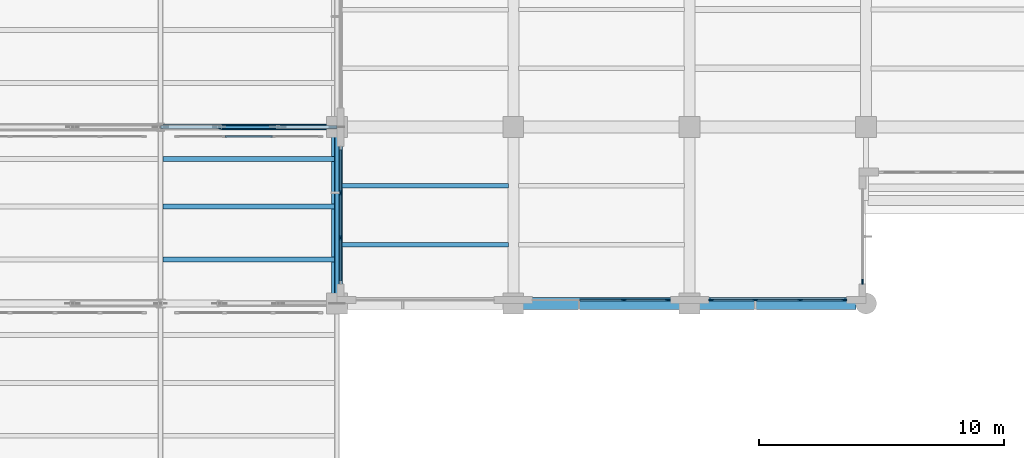
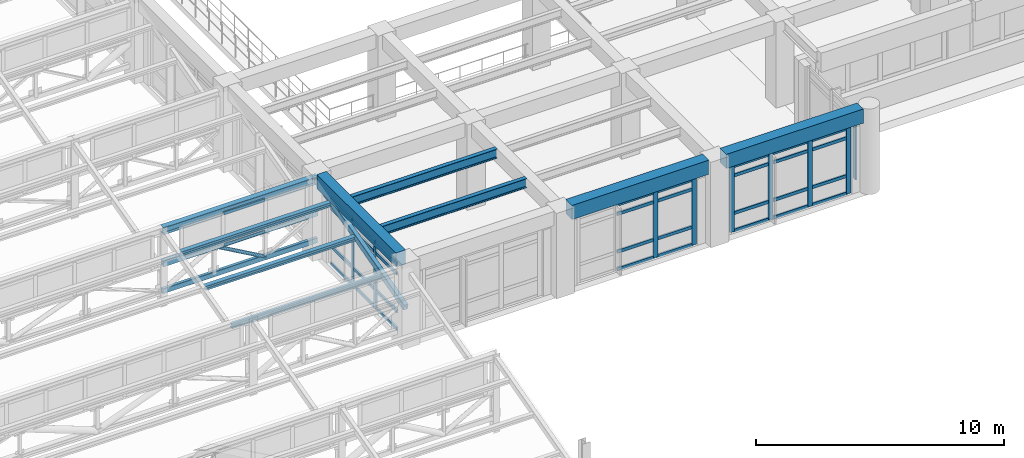
# One storey, part 24 of 98: 46 members, 10 beams, 5 elements without a shape of their own.
"""IFC4 building model written with IfcOpenShell, lengths in metres."""

from ifc_helpers import new_model, si_unit, direction, frame, origin, origin_2d, place, context, subcontext, project, spatial, rectangle, hollow_rectangle, hollow_circle, i_section, extrude, material, layer, layer_set, material_profile, profile_set, type_object, element, aggregate, save


model = new_model("IFC4")

# Units and contexts
model_context = context("Model", 3, precision=1e-05, world=origin(), true_north=direction((0.0, 1.0)))
body_context = subcontext(model_context, "Body", "Model", "MODEL_VIEW")
ifc_project = project(units=[si_unit("LENGTHUNIT", "METRE"), si_unit("AREAUNIT", "SQUARE_METRE"), si_unit("VOLUMEUNIT", "CUBIC_METRE"), si_unit("PLANEANGLEUNIT", "RADIAN"), si_unit("MASSUNIT", "GRAM", prefix="KILO")], contexts=[model_context])

# Site, building, storey
site_placement = place(None, origin())
site = spatial("IfcSite", under=ifc_project, at=site_placement, CompositionType="ELEMENT")
building_placement = place(site_placement, origin())
building = spatial("IfcBuilding", under=site, at=building_placement, Name="Solenvale Faculty of Natural Sciences", CompositionType="ELEMENT")
storey_placement = place(building_placement, frame((0.0, 0.0, 9.0)))
storey = spatial("IfcBuildingStorey", under=building, at=storey_placement, Name="L02", CompositionType="ELEMENT", Elevation=9.0)

# Beams
ifc_material_1 = material(Name="Steel S355", Category="steel")
ifc_material_profile_1 = material_profile(ifc_material_1, i_section(OverallWidth=0.202880859375, OverallDepth=0.202880859375, WebThickness=0.007080078125, FlangeThickness=0.010986328125, FilletRadius=0.010009765625, at=origin_2d()), Name="W200x46")
ifc_profile_set_1 = profile_set([ifc_material_profile_1], Name="Steel S355")
beam_type_1 = type_object("IfcBeamType", Name="BM-PRL-W200x46", PredefinedType="JOIST", material=ifc_profile_set_1)
for number, where, z_axis, x_axis, name in (
    (1, (28.89599609375, 16.199951171875, 2.202392578125), (1.0, 0.0, 0.0), (0.0, 1.0, 0.0), "V1 Sawtooth Purlin 3.2.1"),
    (2, (28.89599609375, 18.360107421875, 2.781494140625), (1.0, 0.0, 0.0), (0.0, 1.0, 0.0), "V1 Sawtooth Purlin 3.2.2"),
    (3, (28.89599609375, 20.303955078125, 3.302490234375), (1.0, 0.0, 0.0), (0.0, 1.0, 0.0), "V1 Sawtooth Purlin 3.2.3"),
):
    element("IfcBeam", number, at=place(storey_placement, frame(where, z_axis=z_axis, x_axis=x_axis)), inside=storey, type_object=beam_type_1, Name=name, PredefinedType="JOIST", context=body_context, shape_type="SweptSolid", body=[
        extrude(i_section(OverallWidth=0.202880859375, OverallDepth=0.202880859375, WebThickness=0.007080078125, FlangeThickness=0.010986328125, FilletRadius=0.010009765625, at=origin_2d()), origin(), (0.0, 0.0, 1.0), 7.10400390625),
    ])
ifc_material_profile_2 = material_profile(ifc_material_1, hollow_rectangle(XDim=0.202880859375, YDim=0.304931640625, WallThickness=0.0126953125, InnerFilletRadius=0.0126953125, OuterFilletRadius=0.025390625, at=origin_2d()), Name="HSS305x203x13")
ifc_profile_set_2 = profile_set([ifc_material_profile_2], Name="Steel S355")
beam_type_2 = type_object("IfcBeamType", Name="BM-RAF-HSS305", PredefinedType="BEAM", material=ifc_profile_set_2)
beam_1_placement = place(storey_placement, frame((36.0, 14.39990234375, 1.719970703125), z_axis=(0.0, 0.965904187204, 0.258899789768), x_axis=(-1.0, 0.0, 0.0)))
element("IfcBeam", 4, at=beam_1_placement, inside=storey, type_object=beam_type_2, Name="V1 Sawtooth End Rafter 3.2.E", PredefinedType="BEAM", context=body_context, shape_type="SweptSolid", body=[
    extrude(hollow_rectangle(XDim=0.202880859375, YDim=0.304931640625, WallThickness=0.0126953125, InnerFilletRadius=0.0126953125, OuterFilletRadius=0.025390625, at=origin_2d()), origin(), (0.0, 0.0, 1.0), 7.454345703125),
])
ifc_material_2 = material(Name="Concrete 40 MPa", Category="concrete")
ifc_material_profile_3 = material_profile(ifc_material_2, rectangle(XDim=0.449951171875, YDim=0.699951171875, at=origin_2d()), Name="RC-BM-450x700")
ifc_profile_set_3 = profile_set([ifc_material_profile_3], Name="Concrete 40 MPa")
beam_type_3 = type_object("IfcBeamType", Name="BM-RC-450x700", PredefinedType="BEAM", material=ifc_profile_set_3)
beam_2_placement = place(storey_placement, frame((36.0, 14.804931640625, 3.8701171875), z_axis=(0.0, 1.0, 0.0), x_axis=(-1.0, 0.0, 0.0)))
element("IfcBeam", 5, at=beam_2_placement, inside=storey, type_object=beam_type_3, Name="L02 Y-Girder X36.0 (14.4..21.6)", PredefinedType="BEAM", context=body_context, shape_type="SweptSolid", body=[
    extrude(rectangle(XDim=0.449951171875, YDim=0.699951171875, at=origin_2d()), origin(), (0.0, 0.0, 1.0), 6.39013671875),
])
ifc_material_profile_4 = material_profile(ifc_material_2, rectangle(XDim=0.5, YDim=0.699951171875, at=origin_2d()), Name="RC-BM-500x700")
ifc_profile_set_4 = profile_set([ifc_material_profile_4], Name="Concrete 40 MPa")
beam_type_4 = type_object("IfcBeamType", Name="BM-RC-500x700", PredefinedType="BEAM", material=ifc_profile_set_4)
for number, where, z_axis, x_axis, name in (
    (6, (43.60498046875, 14.39990234375, 3.8701171875), (1.0, 0.0, 0.0), (0.0, 1.0, 0.0), "L02 X-Girder Y14.4 (43.2..50.4)"),
    (7, (50.804931640625, 14.39990234375, 3.8701171875), (1.0, 0.0, 0.0), (0.0, 1.0, 0.0), "L02 X-Girder Y14.4 (50.4..57.6)"),
):
    element("IfcBeam", number, at=place(storey_placement, frame(where, z_axis=z_axis, x_axis=x_axis)), inside=storey, type_object=beam_type_4, Name=name, PredefinedType="BEAM", context=body_context, shape_type="SweptSolid", body=[
        extrude(rectangle(XDim=0.5, YDim=0.699951171875, at=origin_2d()), origin(), (0.0, 0.0, 1.0), 6.39013671875),
    ])
ifc_material_profile_5 = material_profile(ifc_material_1, i_section(OverallWidth=0.2548828125, OverallDepth=0.35693359375, WebThickness=0.010498046875, FlangeThickness=0.018310546875, FilletRadius=0.014892578125, at=origin_2d()), Name="W360x101")
ifc_profile_set_5 = profile_set([ifc_material_profile_5], Name="Steel S355")
beam_type_5 = type_object("IfcBeamType", Name="BM-STL-W360x101", PredefinedType="JOIST", material=ifc_profile_set_5)
beam_3_placement = place(storey_placement, frame((28.800048828125, 21.60009765625, 3.68896484375), z_axis=(1.0, 0.0, 0.0), x_axis=(0.0, 1.0, 0.0)))
element("IfcBeam", 8, at=beam_3_placement, inside=storey, type_object=beam_type_5, Name="V1 Sawtooth Clerestory Ridge Beam 3.2", PredefinedType="JOIST", context=body_context, shape_type="SweptSolid", body=[
    extrude(i_section(OverallWidth=0.2548828125, OverallDepth=0.35693359375, WebThickness=0.010498046875, FlangeThickness=0.018310546875, FilletRadius=0.014892578125, at=origin_2d()), origin(), (0.0, 0.0, 1.0), 7.199951171875),
])
ifc_material_profile_6 = material_profile(ifc_material_1, i_section(OverallWidth=0.19091796875, OverallDepth=0.4599609375, WebThickness=0.010009765625, FlangeThickness=0.01611328125, FilletRadius=0.01806640625, at=origin_2d()), Name="W460x82")
ifc_profile_set_6 = profile_set([ifc_material_profile_6], Name="Steel S355")
beam_type_6 = type_object("IfcBeamType", Name="BM-STL-W460x82", PredefinedType="JOIST", material=ifc_profile_set_6)
for number, where, z_axis, x_axis, name in (
    (9, (36.205078125, 16.800048828125, 3.989990234375), (1.0, 0.0, 0.0), (0.0, 1.0, 0.0), "L02 Composite Floor Joist (6,3).1"),
    (10, (36.205078125, 19.199951171875, 3.989990234375), (1.0, 0.0, 0.0), (0.0, 1.0, 0.0), "L02 Composite Floor Joist (6,3).2"),
):
    element("IfcBeam", number, at=place(storey_placement, frame(where, z_axis=z_axis, x_axis=x_axis)), inside=storey, type_object=beam_type_6, Name=name, PredefinedType="JOIST", context=body_context, shape_type="SweptSolid", body=[
        extrude(i_section(OverallWidth=0.19091796875, OverallDepth=0.4599609375, WebThickness=0.010009765625, FlangeThickness=0.01611328125, FilletRadius=0.01806640625, at=origin_2d()), origin(), (0.0, 0.0, 1.0), 6.7900390625),
    ])

# Curtain wall, members
ifc_material_3 = material(Name="Anodised bronze aluminium", Category="aluminium")
ifc_layer_1 = layer(ifc_material_3, 0.215087890625)
ifc_layer_set_1 = layer_set([ifc_layer_1], Name="Anodised bronze aluminium")
curtain_wall_type_1 = type_object("IfcCurtainWallType", Name="CW-ATR-UNIT", PredefinedType="USERDEFINED", material=ifc_layer_set_1)
curtain_wall_1_placement = place(storey_placement, origin())
curtain_wall_1 = element("IfcCurtainWall", 11, at=curtain_wall_1_placement, inside=storey, type_object=curtain_wall_type_1, Name="L02 Curtain Wall CW-L02-P1-E9-B11", ObjectType="UNITISED CURTAIN WALL", PredefinedType="USERDEFINED")
ifc_material_profile_7 = material_profile(ifc_material_3, rectangle(XDim=0.074951171875, YDim=0.2099609375, at=origin_2d()), Name="ALU-MUL-75x210")
ifc_profile_set_7 = profile_set([ifc_material_profile_7], Name="Anodised bronze aluminium")
member_type_1 = type_object("IfcMemberType", Name="CWM-ALU-75x210", PredefinedType="MULLION", material=ifc_profile_set_7)
member_1_placement = place(storey_placement, frame((36.142578125, 18.916748046875, 0.0), z_axis=(0.0, 0.0, 1.0), x_axis=(1.0, 0.0, 0.0)))
member_1 = element("IfcMember", 12, at=member_1_placement, type_object=member_type_1, Name="CW-01 mullion 2", PredefinedType="MULLION", context=body_context, shape_type="SweptSolid", body=[
    extrude(rectangle(XDim=0.074951171875, YDim=0.2099609375, at=origin_2d()), origin(), (0.0, 0.0, 1.0), 3.260009765625),
])
member_2_placement = place(storey_placement, frame((36.142578125, 17.083251953125, 0.0), z_axis=(0.0, 0.0, 1.0), x_axis=(1.0, 0.0, 0.0)))
member_2 = element("IfcMember", 13, at=member_2_placement, type_object=member_type_1, Name="CW-01 mullion 3", PredefinedType="MULLION", context=body_context, shape_type="SweptSolid", body=[
    extrude(rectangle(XDim=0.074951171875, YDim=0.2099609375, at=origin_2d()), origin(), (0.0, 0.0, 1.0), 3.260009765625),
])

curtain_wall_2_placement = place(storey_placement, origin())
curtain_wall_2 = element("IfcCurtainWall", 14, at=curtain_wall_2_placement, inside=storey, type_object=curtain_wall_type_1, Name="L02 Curtain Wall CW-L02-P1-E10-B2", ObjectType="UNITISED CURTAIN WALL", PredefinedType="USERDEFINED")
member_3_placement = place(storey_placement, frame((47.716552734375, 14.54248046875, 0.0), z_axis=(0.0, 0.0, 1.0), x_axis=(0.0, 1.0, 0.0)))
member_3 = element("IfcMember", 15, at=member_3_placement, type_object=member_type_1, Name="CW-01 mullion 3", PredefinedType="MULLION", context=body_context, shape_type="SweptSolid", body=[
    extrude(rectangle(XDim=0.074951171875, YDim=0.2099609375, at=origin_2d()), origin(), (0.0, 0.0, 1.0), 3.260009765625),
])
member_4_placement = place(storey_placement, frame((49.512451171875, 14.54248046875, 0.0), z_axis=(0.0, 0.0, 1.0), x_axis=(0.0, 1.0, 0.0)))
member_4 = element("IfcMember", 16, at=member_4_placement, type_object=member_type_1, Name="CW-01 mullion 4", PredefinedType="MULLION", context=body_context, shape_type="SweptSolid", body=[
    extrude(rectangle(XDim=0.074951171875, YDim=0.2099609375, at=origin_2d()), origin(), (0.0, 0.0, 1.0), 3.260009765625),
])

curtain_wall_3_placement = place(storey_placement, origin())
curtain_wall_3 = element("IfcCurtainWall", 17, at=curtain_wall_3_placement, inside=storey, type_object=curtain_wall_type_1, Name="L02 Curtain Wall CW-L02-P1-E10-B3", ObjectType="UNITISED CURTAIN WALL", PredefinedType="USERDEFINED")
member_5_placement = place(storey_placement, frame((51.28759765625, 14.54248046875, 0.0), z_axis=(0.0, 0.0, 1.0), x_axis=(0.0, 1.0, 0.0)))
member_5 = element("IfcMember", 18, at=member_5_placement, type_object=member_type_1, Name="CW-01 mullion 1", PredefinedType="MULLION", context=body_context, shape_type="SweptSolid", body=[
    extrude(rectangle(XDim=0.074951171875, YDim=0.2099609375, at=origin_2d()), origin(), (0.0, 0.0, 1.0), 3.260009765625),
])
member_6_placement = place(storey_placement, frame((53.083251953125, 14.54248046875, 0.0), z_axis=(0.0, 0.0, 1.0), x_axis=(0.0, 1.0, 0.0)))
member_6 = element("IfcMember", 19, at=member_6_placement, type_object=member_type_1, Name="CW-01 mullion 2", PredefinedType="MULLION", context=body_context, shape_type="SweptSolid", body=[
    extrude(rectangle(XDim=0.074951171875, YDim=0.2099609375, at=origin_2d()), origin(), (0.0, 0.0, 1.0), 3.260009765625),
])
member_7_placement = place(storey_placement, frame((54.916748046875, 14.54248046875, 0.0), z_axis=(0.0, 0.0, 1.0), x_axis=(0.0, 1.0, 0.0)))
member_7 = element("IfcMember", 20, at=member_7_placement, type_object=member_type_1, Name="CW-01 mullion 3", PredefinedType="MULLION", context=body_context, shape_type="SweptSolid", body=[
    extrude(rectangle(XDim=0.074951171875, YDim=0.2099609375, at=origin_2d()), origin(), (0.0, 0.0, 1.0), 3.260009765625),
])
member_8_placement = place(storey_placement, frame((56.71240234375, 14.54248046875, 0.0), z_axis=(0.0, 0.0, 1.0), x_axis=(0.0, 1.0, 0.0)))
member_8 = element("IfcMember", 21, at=member_8_placement, type_object=member_type_1, Name="CW-01 mullion 4", PredefinedType="MULLION", context=body_context, shape_type="SweptSolid", body=[
    extrude(rectangle(XDim=0.074951171875, YDim=0.2099609375, at=origin_2d()), origin(), (0.0, 0.0, 1.0), 3.260009765625),
])

# Curtain wall, member
curtain_wall_4_placement = place(storey_placement, origin())
curtain_wall_4 = element("IfcCurtainWall", 22, at=curtain_wall_4_placement, inside=storey, type_object=curtain_wall_type_1, Name="L02 Curtain Wall CW-L02-P1-E11-B1", ObjectType="UNITISED CURTAIN WALL", PredefinedType="USERDEFINED")
member_9_placement = place(storey_placement, frame((57.45751953125, 15.28759765625, 0.0), z_axis=(0.0, 0.0, 1.0), x_axis=(-1.0, 0.0, 0.0)))
member_9 = element("IfcMember", 23, at=member_9_placement, type_object=member_type_1, Name="CW-01 mullion 1", PredefinedType="MULLION", context=body_context, shape_type="SweptSolid", body=[
    extrude(rectangle(XDim=0.074951171875, YDim=0.2099609375, at=origin_2d()), origin(), (0.0, 0.0, 1.0), 3.260009765625),
])
aggregate(curtain_wall_4, [member_9])

# Curtain wall, members
ifc_layer_2 = layer(ifc_material_3, 0.1650390625)
ifc_layer_set_2 = layer_set([ifc_layer_2], Name="Anodised bronze aluminium")
curtain_wall_type_2 = type_object("IfcCurtainWallType", Name="CW-SAW-CLR", PredefinedType="USERDEFINED", material=ifc_layer_set_2)
curtain_wall_5_placement = place(storey_placement, origin())
curtain_wall_5 = element("IfcCurtainWall", 24, at=curtain_wall_5_placement, inside=storey, type_object=curtain_wall_type_2, Name="L02 Curtain Wall SAW-V1-CW-3-2", ObjectType="NORTH LIGHT CLERESTORY", PredefinedType="USERDEFINED")
ifc_material_profile_8 = material_profile(ifc_material_3, rectangle(XDim=0.06494140625, YDim=0.135009765625, at=origin_2d()), Name="ALU-TRN-65x135")
ifc_profile_set_8 = profile_set([ifc_material_profile_8], Name="Anodised bronze aluminium")
member_type_2 = type_object("IfcMemberType", Name="CWT-ALU-65x135", PredefinedType="USERDEFINED", material=ifc_profile_set_8)
member_10_placement = place(storey_placement, frame((33.354248046875, 21.219970703125, 2.262451171875), z_axis=(-1.0, 0.0, 0.0), x_axis=(0.0, -1.0, 0.0)))
member_10 = element("IfcMember", 25, at=member_10_placement, type_object=member_type_2, Name="CW-05 transom 2.1", ObjectType="TRANSOM", PredefinedType="USERDEFINED", context=body_context, shape_type="SweptSolid", body=[
    extrude(rectangle(XDim=0.06494140625, YDim=0.135009765625, at=origin_2d()), origin(), (0.0, 0.0, 1.0), 1.908447265625),
])
member_11_placement = place(storey_placement, frame((33.354248046875, 21.219970703125, 3.8076171875), z_axis=(-1.0, 0.0, 0.0), x_axis=(0.0, -1.0, 0.0)))
member_11 = element("IfcMember", 26, at=member_11_placement, type_object=member_type_2, Name="CW-05 transom 2.2", ObjectType="TRANSOM", PredefinedType="USERDEFINED", context=body_context, shape_type="SweptSolid", body=[
    extrude(rectangle(XDim=0.06494140625, YDim=0.135009765625, at=origin_2d()), origin(), (0.0, 0.0, 1.0), 1.908447265625),
])
aggregate(curtain_wall_5, [member_10, member_11])

# Member
ifc_material_profile_9 = material_profile(ifc_material_3, rectangle(XDim=0.074951171875, YDim=0.155029296875, at=origin_2d()), Name="ALU-TRN-75x155")
ifc_profile_set_9 = profile_set([ifc_material_profile_9], Name="Anodised bronze aluminium")
member_type_3 = type_object("IfcMemberType", Name="CWT-ALU-75x155", PredefinedType="USERDEFINED", material=ifc_profile_set_9)
member_12_placement = place(storey_placement, frame((36.142578125, 20.675048828125, 0.03759765625), z_axis=(0.0, -1.0, 0.0), x_axis=(1.0, 0.0, 0.0)))
member_12 = element("IfcMember", 27, at=member_12_placement, type_object=member_type_3, Name="CW-01 transom 1.1", ObjectType="TRANSOM", PredefinedType="USERDEFINED", context=body_context, shape_type="SweptSolid", body=[
    extrude(rectangle(XDim=0.074951171875, YDim=0.155029296875, at=origin_2d()), origin(), (0.0, 0.0, 1.0), 1.720947265625),
])

member_13_placement = place(storey_placement, frame((36.142578125, 20.675048828125, 0.89990234375), z_axis=(0.0, -1.0, 0.0), x_axis=(1.0, 0.0, 0.0)))
member_13 = element("IfcMember", 28, at=member_13_placement, type_object=member_type_3, Name="CW-01 transom 1.2", ObjectType="TRANSOM", PredefinedType="USERDEFINED", context=body_context, shape_type="SweptSolid", body=[
    extrude(rectangle(XDim=0.074951171875, YDim=0.155029296875, at=origin_2d()), origin(), (0.0, 0.0, 1.0), 1.720947265625),
])

member_14_placement = place(storey_placement, frame((36.142578125, 20.675048828125, 2.760009765625), z_axis=(0.0, -1.0, 0.0), x_axis=(1.0, 0.0, 0.0)))
member_14 = element("IfcMember", 29, at=member_14_placement, type_object=member_type_3, Name="CW-01 transom 1.3", ObjectType="TRANSOM", PredefinedType="USERDEFINED", context=body_context, shape_type="SweptSolid", body=[
    extrude(rectangle(XDim=0.074951171875, YDim=0.155029296875, at=origin_2d()), origin(), (0.0, 0.0, 1.0), 1.720947265625),
])

member_15_placement = place(storey_placement, frame((36.142578125, 20.675048828125, 3.222412109375), z_axis=(0.0, -1.0, 0.0), x_axis=(1.0, 0.0, 0.0)))
member_15 = element("IfcMember", 30, at=member_15_placement, type_object=member_type_3, Name="CW-01 transom 1.4", ObjectType="TRANSOM", PredefinedType="USERDEFINED", context=body_context, shape_type="SweptSolid", body=[
    extrude(rectangle(XDim=0.074951171875, YDim=0.155029296875, at=origin_2d()), origin(), (0.0, 0.0, 1.0), 1.720947265625),
])

member_16_placement = place(storey_placement, frame((36.142578125, 18.879150390625, 0.03759765625), z_axis=(0.0, -1.0, 0.0), x_axis=(1.0, 0.0, 0.0)))
member_16 = element("IfcMember", 31, at=member_16_placement, type_object=member_type_3, Name="CW-01 transom 2.1", ObjectType="TRANSOM", PredefinedType="USERDEFINED", context=body_context, shape_type="SweptSolid", body=[
    extrude(rectangle(XDim=0.074951171875, YDim=0.155029296875, at=origin_2d()), origin(), (0.0, 0.0, 1.0), 1.75830078125),
])

member_17_placement = place(storey_placement, frame((36.142578125, 18.879150390625, 0.89990234375), z_axis=(0.0, -1.0, 0.0), x_axis=(1.0, 0.0, 0.0)))
member_17 = element("IfcMember", 32, at=member_17_placement, type_object=member_type_3, Name="CW-01 transom 2.2", ObjectType="TRANSOM", PredefinedType="USERDEFINED", context=body_context, shape_type="SweptSolid", body=[
    extrude(rectangle(XDim=0.074951171875, YDim=0.155029296875, at=origin_2d()), origin(), (0.0, 0.0, 1.0), 1.75830078125),
])

member_18_placement = place(storey_placement, frame((36.142578125, 18.879150390625, 2.760009765625), z_axis=(0.0, -1.0, 0.0), x_axis=(1.0, 0.0, 0.0)))
member_18 = element("IfcMember", 33, at=member_18_placement, type_object=member_type_3, Name="CW-01 transom 2.3", ObjectType="TRANSOM", PredefinedType="USERDEFINED", context=body_context, shape_type="SweptSolid", body=[
    extrude(rectangle(XDim=0.074951171875, YDim=0.155029296875, at=origin_2d()), origin(), (0.0, 0.0, 1.0), 1.75830078125),
])

member_19_placement = place(storey_placement, frame((36.142578125, 18.879150390625, 3.222412109375), z_axis=(0.0, -1.0, 0.0), x_axis=(1.0, 0.0, 0.0)))
member_19 = element("IfcMember", 34, at=member_19_placement, type_object=member_type_3, Name="CW-01 transom 2.4", ObjectType="TRANSOM", PredefinedType="USERDEFINED", context=body_context, shape_type="SweptSolid", body=[
    extrude(rectangle(XDim=0.074951171875, YDim=0.155029296875, at=origin_2d()), origin(), (0.0, 0.0, 1.0), 1.75830078125),
])

member_20_placement = place(storey_placement, frame((36.142578125, 17.0458984375, 0.03759765625), z_axis=(0.0, -1.0, 0.0), x_axis=(1.0, 0.0, 0.0)))
member_20 = element("IfcMember", 35, at=member_20_placement, type_object=member_type_3, Name="CW-01 transom 3.1", ObjectType="TRANSOM", PredefinedType="USERDEFINED", context=body_context, shape_type="SweptSolid", body=[
    extrude(rectangle(XDim=0.074951171875, YDim=0.155029296875, at=origin_2d()), origin(), (0.0, 0.0, 1.0), 1.720947265625),
])

member_21_placement = place(storey_placement, frame((36.142578125, 17.0458984375, 0.89990234375), z_axis=(0.0, -1.0, 0.0), x_axis=(1.0, 0.0, 0.0)))
member_21 = element("IfcMember", 36, at=member_21_placement, type_object=member_type_3, Name="CW-01 transom 3.2", ObjectType="TRANSOM", PredefinedType="USERDEFINED", context=body_context, shape_type="SweptSolid", body=[
    extrude(rectangle(XDim=0.074951171875, YDim=0.155029296875, at=origin_2d()), origin(), (0.0, 0.0, 1.0), 1.720947265625),
])

member_22_placement = place(storey_placement, frame((36.142578125, 17.0458984375, 2.760009765625), z_axis=(0.0, -1.0, 0.0), x_axis=(1.0, 0.0, 0.0)))
member_22 = element("IfcMember", 37, at=member_22_placement, type_object=member_type_3, Name="CW-01 transom 3.3", ObjectType="TRANSOM", PredefinedType="USERDEFINED", context=body_context, shape_type="SweptSolid", body=[
    extrude(rectangle(XDim=0.074951171875, YDim=0.155029296875, at=origin_2d()), origin(), (0.0, 0.0, 1.0), 1.720947265625),
])

member_23_placement = place(storey_placement, frame((36.142578125, 17.0458984375, 3.222412109375), z_axis=(0.0, -1.0, 0.0), x_axis=(1.0, 0.0, 0.0)))
member_23 = element("IfcMember", 38, at=member_23_placement, type_object=member_type_3, Name="CW-01 transom 3.4", ObjectType="TRANSOM", PredefinedType="USERDEFINED", context=body_context, shape_type="SweptSolid", body=[
    extrude(rectangle(XDim=0.074951171875, YDim=0.155029296875, at=origin_2d()), origin(), (0.0, 0.0, 1.0), 1.720947265625),
])

aggregate(curtain_wall_1, [member_1, member_2, member_12, member_13, member_14, member_15, member_16, member_17, member_18, member_19, member_20, member_21, member_22, member_23])

member_24_placement = place(storey_placement, frame((45.9208984375, 14.54248046875, 0.03759765625), z_axis=(1.0, 0.0, 0.0), x_axis=(0.0, 1.0, 0.0)))
member_24 = element("IfcMember", 39, at=member_24_placement, type_object=member_type_3, Name="CW-01 transom 2.1", ObjectType="TRANSOM", PredefinedType="USERDEFINED", context=body_context, shape_type="SweptSolid", body=[
    extrude(rectangle(XDim=0.074951171875, YDim=0.155029296875, at=origin_2d()), origin(), (0.0, 0.0, 1.0), 1.75830078125),
])

member_25_placement = place(storey_placement, frame((45.9208984375, 14.54248046875, 0.89990234375), z_axis=(1.0, 0.0, 0.0), x_axis=(0.0, 1.0, 0.0)))
member_25 = element("IfcMember", 40, at=member_25_placement, type_object=member_type_3, Name="CW-01 transom 2.2", ObjectType="TRANSOM", PredefinedType="USERDEFINED", context=body_context, shape_type="SweptSolid", body=[
    extrude(rectangle(XDim=0.074951171875, YDim=0.155029296875, at=origin_2d()), origin(), (0.0, 0.0, 1.0), 1.75830078125),
])

member_26_placement = place(storey_placement, frame((45.9208984375, 14.54248046875, 2.760009765625), z_axis=(1.0, 0.0, 0.0), x_axis=(0.0, 1.0, 0.0)))
member_26 = element("IfcMember", 41, at=member_26_placement, type_object=member_type_3, Name="CW-01 transom 2.3", ObjectType="TRANSOM", PredefinedType="USERDEFINED", context=body_context, shape_type="SweptSolid", body=[
    extrude(rectangle(XDim=0.074951171875, YDim=0.155029296875, at=origin_2d()), origin(), (0.0, 0.0, 1.0), 1.75830078125),
])

member_27_placement = place(storey_placement, frame((45.9208984375, 14.54248046875, 3.222412109375), z_axis=(1.0, 0.0, 0.0), x_axis=(0.0, 1.0, 0.0)))
member_27 = element("IfcMember", 42, at=member_27_placement, type_object=member_type_3, Name="CW-01 transom 2.4", ObjectType="TRANSOM", PredefinedType="USERDEFINED", context=body_context, shape_type="SweptSolid", body=[
    extrude(rectangle(XDim=0.074951171875, YDim=0.155029296875, at=origin_2d()), origin(), (0.0, 0.0, 1.0), 1.75830078125),
])

member_28_placement = place(storey_placement, frame((47.754150390625, 14.54248046875, 0.03759765625), z_axis=(1.0, 0.0, 0.0), x_axis=(0.0, 1.0, 0.0)))
member_28 = element("IfcMember", 43, at=member_28_placement, type_object=member_type_3, Name="CW-01 transom 3.1", ObjectType="TRANSOM", PredefinedType="USERDEFINED", context=body_context, shape_type="SweptSolid", body=[
    extrude(rectangle(XDim=0.074951171875, YDim=0.155029296875, at=origin_2d()), origin(), (0.0, 0.0, 1.0), 1.720947265625),
])

member_29_placement = place(storey_placement, frame((47.754150390625, 14.54248046875, 0.89990234375), z_axis=(1.0, 0.0, 0.0), x_axis=(0.0, 1.0, 0.0)))
member_29 = element("IfcMember", 44, at=member_29_placement, type_object=member_type_3, Name="CW-01 transom 3.2", ObjectType="TRANSOM", PredefinedType="USERDEFINED", context=body_context, shape_type="SweptSolid", body=[
    extrude(rectangle(XDim=0.074951171875, YDim=0.155029296875, at=origin_2d()), origin(), (0.0, 0.0, 1.0), 1.720947265625),
])

member_30_placement = place(storey_placement, frame((47.754150390625, 14.54248046875, 2.760009765625), z_axis=(1.0, 0.0, 0.0), x_axis=(0.0, 1.0, 0.0)))
member_30 = element("IfcMember", 45, at=member_30_placement, type_object=member_type_3, Name="CW-01 transom 3.3", ObjectType="TRANSOM", PredefinedType="USERDEFINED", context=body_context, shape_type="SweptSolid", body=[
    extrude(rectangle(XDim=0.074951171875, YDim=0.155029296875, at=origin_2d()), origin(), (0.0, 0.0, 1.0), 1.720947265625),
])

member_31_placement = place(storey_placement, frame((47.754150390625, 14.54248046875, 3.222412109375), z_axis=(1.0, 0.0, 0.0), x_axis=(0.0, 1.0, 0.0)))
member_31 = element("IfcMember", 46, at=member_31_placement, type_object=member_type_3, Name="CW-01 transom 3.4", ObjectType="TRANSOM", PredefinedType="USERDEFINED", context=body_context, shape_type="SweptSolid", body=[
    extrude(rectangle(XDim=0.074951171875, YDim=0.155029296875, at=origin_2d()), origin(), (0.0, 0.0, 1.0), 1.720947265625),
])

aggregate(curtain_wall_2, [member_3, member_4, member_24, member_25, member_26, member_27, member_28, member_29, member_30, member_31])

member_32_placement = place(storey_placement, frame((51.324951171875, 14.54248046875, 0.03759765625), z_axis=(1.0, 0.0, 0.0), x_axis=(0.0, 1.0, 0.0)))
member_32 = element("IfcMember", 47, at=member_32_placement, type_object=member_type_3, Name="CW-01 transom 1.1", ObjectType="TRANSOM", PredefinedType="USERDEFINED", context=body_context, shape_type="SweptSolid", body=[
    extrude(rectangle(XDim=0.074951171875, YDim=0.155029296875, at=origin_2d()), origin(), (0.0, 0.0, 1.0), 1.720947265625),
])

member_33_placement = place(storey_placement, frame((51.324951171875, 14.54248046875, 0.89990234375), z_axis=(1.0, 0.0, 0.0), x_axis=(0.0, 1.0, 0.0)))
member_33 = element("IfcMember", 48, at=member_33_placement, type_object=member_type_3, Name="CW-01 transom 1.2", ObjectType="TRANSOM", PredefinedType="USERDEFINED", context=body_context, shape_type="SweptSolid", body=[
    extrude(rectangle(XDim=0.074951171875, YDim=0.155029296875, at=origin_2d()), origin(), (0.0, 0.0, 1.0), 1.720947265625),
])

member_34_placement = place(storey_placement, frame((51.324951171875, 14.54248046875, 2.760009765625), z_axis=(1.0, 0.0, 0.0), x_axis=(0.0, 1.0, 0.0)))
member_34 = element("IfcMember", 49, at=member_34_placement, type_object=member_type_3, Name="CW-01 transom 1.3", ObjectType="TRANSOM", PredefinedType="USERDEFINED", context=body_context, shape_type="SweptSolid", body=[
    extrude(rectangle(XDim=0.074951171875, YDim=0.155029296875, at=origin_2d()), origin(), (0.0, 0.0, 1.0), 1.720947265625),
])

member_35_placement = place(storey_placement, frame((51.324951171875, 14.54248046875, 3.222412109375), z_axis=(1.0, 0.0, 0.0), x_axis=(0.0, 1.0, 0.0)))
member_35 = element("IfcMember", 50, at=member_35_placement, type_object=member_type_3, Name="CW-01 transom 1.4", ObjectType="TRANSOM", PredefinedType="USERDEFINED", context=body_context, shape_type="SweptSolid", body=[
    extrude(rectangle(XDim=0.074951171875, YDim=0.155029296875, at=origin_2d()), origin(), (0.0, 0.0, 1.0), 1.720947265625),
])

member_36_placement = place(storey_placement, frame((53.120849609375, 14.54248046875, 0.03759765625), z_axis=(1.0, 0.0, 0.0), x_axis=(0.0, 1.0, 0.0)))
member_36 = element("IfcMember", 51, at=member_36_placement, type_object=member_type_3, Name="CW-01 transom 2.1", ObjectType="TRANSOM", PredefinedType="USERDEFINED", context=body_context, shape_type="SweptSolid", body=[
    extrude(rectangle(XDim=0.074951171875, YDim=0.155029296875, at=origin_2d()), origin(), (0.0, 0.0, 1.0), 1.75830078125),
])

member_37_placement = place(storey_placement, frame((53.120849609375, 14.54248046875, 0.89990234375), z_axis=(1.0, 0.0, 0.0), x_axis=(0.0, 1.0, 0.0)))
member_37 = element("IfcMember", 52, at=member_37_placement, type_object=member_type_3, Name="CW-01 transom 2.2", ObjectType="TRANSOM", PredefinedType="USERDEFINED", context=body_context, shape_type="SweptSolid", body=[
    extrude(rectangle(XDim=0.074951171875, YDim=0.155029296875, at=origin_2d()), origin(), (0.0, 0.0, 1.0), 1.75830078125),
])

member_38_placement = place(storey_placement, frame((53.120849609375, 14.54248046875, 2.760009765625), z_axis=(1.0, 0.0, 0.0), x_axis=(0.0, 1.0, 0.0)))
member_38 = element("IfcMember", 53, at=member_38_placement, type_object=member_type_3, Name="CW-01 transom 2.3", ObjectType="TRANSOM", PredefinedType="USERDEFINED", context=body_context, shape_type="SweptSolid", body=[
    extrude(rectangle(XDim=0.074951171875, YDim=0.155029296875, at=origin_2d()), origin(), (0.0, 0.0, 1.0), 1.75830078125),
])

member_39_placement = place(storey_placement, frame((53.120849609375, 14.54248046875, 3.222412109375), z_axis=(1.0, 0.0, 0.0), x_axis=(0.0, 1.0, 0.0)))
member_39 = element("IfcMember", 54, at=member_39_placement, type_object=member_type_3, Name="CW-01 transom 2.4", ObjectType="TRANSOM", PredefinedType="USERDEFINED", context=body_context, shape_type="SweptSolid", body=[
    extrude(rectangle(XDim=0.074951171875, YDim=0.155029296875, at=origin_2d()), origin(), (0.0, 0.0, 1.0), 1.75830078125),
])

member_40_placement = place(storey_placement, frame((54.9541015625, 14.54248046875, 0.03759765625), z_axis=(1.0, 0.0, 0.0), x_axis=(0.0, 1.0, 0.0)))
member_40 = element("IfcMember", 55, at=member_40_placement, type_object=member_type_3, Name="CW-01 transom 3.1", ObjectType="TRANSOM", PredefinedType="USERDEFINED", context=body_context, shape_type="SweptSolid", body=[
    extrude(rectangle(XDim=0.074951171875, YDim=0.155029296875, at=origin_2d()), origin(), (0.0, 0.0, 1.0), 1.720947265625),
])

member_41_placement = place(storey_placement, frame((54.9541015625, 14.54248046875, 0.89990234375), z_axis=(1.0, 0.0, 0.0), x_axis=(0.0, 1.0, 0.0)))
member_41 = element("IfcMember", 56, at=member_41_placement, type_object=member_type_3, Name="CW-01 transom 3.2", ObjectType="TRANSOM", PredefinedType="USERDEFINED", context=body_context, shape_type="SweptSolid", body=[
    extrude(rectangle(XDim=0.074951171875, YDim=0.155029296875, at=origin_2d()), origin(), (0.0, 0.0, 1.0), 1.720947265625),
])

member_42_placement = place(storey_placement, frame((54.9541015625, 14.54248046875, 2.760009765625), z_axis=(1.0, 0.0, 0.0), x_axis=(0.0, 1.0, 0.0)))
member_42 = element("IfcMember", 57, at=member_42_placement, type_object=member_type_3, Name="CW-01 transom 3.3", ObjectType="TRANSOM", PredefinedType="USERDEFINED", context=body_context, shape_type="SweptSolid", body=[
    extrude(rectangle(XDim=0.074951171875, YDim=0.155029296875, at=origin_2d()), origin(), (0.0, 0.0, 1.0), 1.720947265625),
])

member_43_placement = place(storey_placement, frame((54.9541015625, 14.54248046875, 3.222412109375), z_axis=(1.0, 0.0, 0.0), x_axis=(0.0, 1.0, 0.0)))
member_43 = element("IfcMember", 58, at=member_43_placement, type_object=member_type_3, Name="CW-01 transom 3.4", ObjectType="TRANSOM", PredefinedType="USERDEFINED", context=body_context, shape_type="SweptSolid", body=[
    extrude(rectangle(XDim=0.074951171875, YDim=0.155029296875, at=origin_2d()), origin(), (0.0, 0.0, 1.0), 1.720947265625),
])

aggregate(curtain_wall_3, [member_5, member_6, member_7, member_8, member_32, member_33, member_34, member_35, member_36, member_37, member_38, member_39, member_40, member_41, member_42, member_43])

# Members
ifc_material_profile_10 = material_profile(ifc_material_1, hollow_circle(Radius=0.084228515625, WallThickness=0.008056640625, at=origin_2d()), Name="HSS168x8.0")
ifc_profile_set_10 = profile_set([ifc_material_profile_10], Name="Steel S355")
member_type_4 = type_object("IfcMemberType", Name="MB-BRC-CHS168", PredefinedType="BRACE", material=ifc_profile_set_10)
member_44_placement = place(storey_placement, frame((31.199951171875, 21.60009765625, 2.050048828125), z_axis=(0.870018389885, 0.0, -0.49301927068), x_axis=(0.0, 1.0, 0.0)))
element("IfcMember", 59, at=member_44_placement, inside=storey, type_object=member_type_4, Name="V1 Truss 3.2 Diagonal 2", PredefinedType="BRACE", context=body_context, shape_type="SweptSolid", body=[
    extrude(hollow_circle(Radius=0.084228515625, WallThickness=0.008056640625, at=origin_2d()), origin(), (0.0, 0.0, 1.0), 2.7587890625),
])
ifc_material_profile_11 = material_profile(ifc_material_1, hollow_rectangle(XDim=0.152099609375, YDim=0.25390625, WallThickness=0.010986328125, InnerFilletRadius=0.010986328125, OuterFilletRadius=0.022216796875, at=origin_2d()), Name="HSS254x152x11")
ifc_profile_set_11 = profile_set([ifc_material_profile_11], Name="Steel S355")
member_type_5 = type_object("IfcMemberType", Name="MB-CHD-HSS254", PredefinedType="CHORD", material=ifc_profile_set_11)
member_45_placement = place(storey_placement, frame((28.800048828125, 21.60009765625, 0.68994140625), z_axis=(1.0, 0.0, 0.0), x_axis=(0.0, 1.0, 0.0)))
element("IfcMember", 60, at=member_45_placement, inside=storey, type_object=member_type_5, Name="V1 Truss 3.2 Bottom Chord", PredefinedType="CHORD", context=body_context, shape_type="SweptSolid", body=[
    extrude(hollow_rectangle(XDim=0.152099609375, YDim=0.25390625, WallThickness=0.010986328125, InnerFilletRadius=0.010986328125, OuterFilletRadius=0.022216796875, at=origin_2d()), origin(), (0.0, 0.0, 1.0), 7.199951171875),
])
ifc_material_profile_12 = material_profile(ifc_material_1, hollow_rectangle(XDim=0.202880859375, YDim=0.304931640625, WallThickness=0.0126953125, InnerFilletRadius=0.0126953125, OuterFilletRadius=0.025390625, at=origin_2d()), Name="HSS305x203x13")
ifc_profile_set_12 = profile_set([ifc_material_profile_12], Name="Steel S355")
member_type_6 = type_object("IfcMemberType", Name="MB-CHD-HSS305", PredefinedType="CHORD", material=ifc_profile_set_12)
member_46_placement = place(storey_placement, frame((28.800048828125, 21.60009765625, 2.050048828125), z_axis=(1.0, 0.0, 0.0), x_axis=(0.0, 1.0, 0.0)))
element("IfcMember", 61, at=member_46_placement, inside=storey, type_object=member_type_6, Name="V1 Truss 3.2 Top Chord", PredefinedType="CHORD", context=body_context, shape_type="SweptSolid", body=[
    extrude(hollow_rectangle(XDim=0.202880859375, YDim=0.304931640625, WallThickness=0.0126953125, InnerFilletRadius=0.0126953125, OuterFilletRadius=0.025390625, at=origin_2d()), origin(), (0.0, 0.0, 1.0), 7.199951171875),
])

save(model, "model.ifc")
